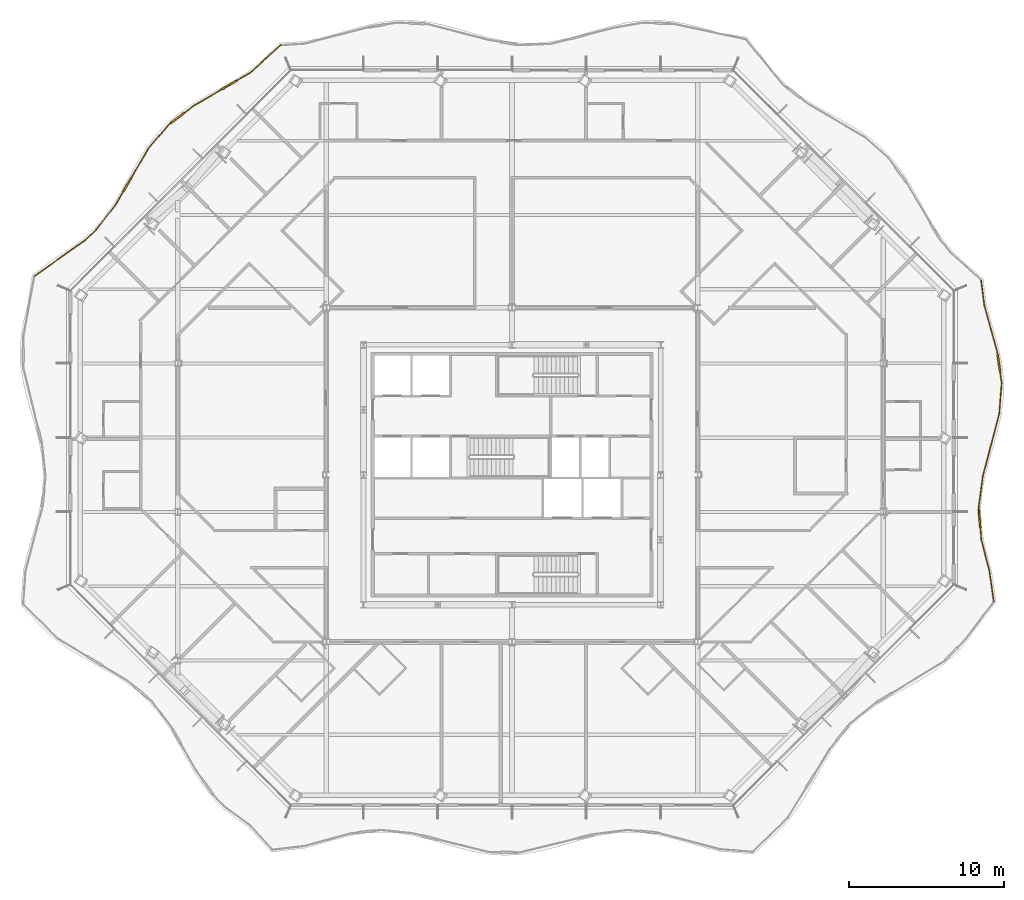
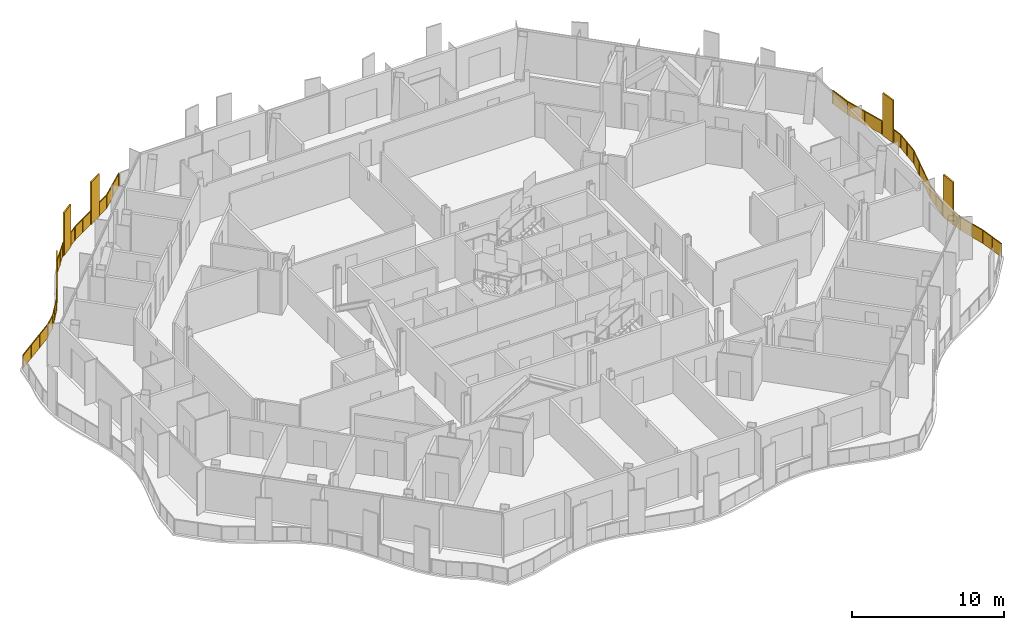
# One storey, part 20 of 21: 2 railings.
"""IFC4 building model written with IfcOpenShell, lengths in metres."""

from ifc_helpers import new_model, si_unit, direction, frame, origin, origin_2d, place, context, subcontext, project, spatial, polyline, rectangle, outline, extrude, material, type_object, element, save


model = new_model("IFC4")

# Units and contexts
model_context = context("Model", 3, precision=1e-05, world=origin(), true_north=direction((0.0, 1.0)))
body_context = subcontext(model_context, "Body", "Model", "MODEL_VIEW")
ifc_project = project(units=[si_unit("LENGTHUNIT", "METRE"), si_unit("AREAUNIT", "SQUARE_METRE"), si_unit("VOLUMEUNIT", "CUBIC_METRE"), si_unit("PLANEANGLEUNIT", "RADIAN"), si_unit("MASSUNIT", "GRAM", prefix="KILO")], contexts=[model_context])

# Site, building, storey
site_placement = place(None, origin())
site = spatial("IfcSite", under=ifc_project, at=site_placement, CompositionType="ELEMENT")
building_placement = place(site_placement, origin())
building = spatial("IfcBuilding", under=site, at=building_placement, Name="Cairn Pilgrim Tower", CompositionType="ELEMENT")
storey_placement = place(building_placement, frame((0.0, 0.0, 172.199951171875)))
storey = spatial("IfcBuildingStorey", under=building, at=storey_placement, Name="L43", CompositionType="ELEMENT", Elevation=172.199951171875)

# Railings
ifc_material = material(Name="Bronze anodised aluminium rail, posts and fin screens with laminated glass infill", Category="aluminium")
railing_type = type_object("IfcRailingType", Name="BALCONY GUARD WITH FIN SCREENS", PredefinedType="GUARDRAIL", material=ifc_material)
railing_1_placement = place(storey_placement, frame((38.334228515625, -5.791748046875, 0.0)))
element("IfcRailing", 1, at=railing_1_placement, inside=storey, type_object=railing_type, Name="Balcony guard BGF-3 with fin screens", PredefinedType="GUARDRAIL", context=body_context, shape_type="SweptSolid", body=[
    extrude(rectangle(XDim=0.050048828125, YDim=0.050048828125, at=origin_2d()), frame((0.0, 0.0, 1.0751953125), z_axis=(-0.142090127494, 0.98985372438, 0.0), x_axis=(-0.98985372438, -0.142090127494, 0.0)), (0.0, 0.0, 1.0), 1.9931640625),
    extrude(rectangle(XDim=0.050048828125, YDim=0.050048828125, at=origin_2d()), frame((-0.283203125, 1.972900390625, 1.0751953125), z_axis=(-0.248274202048, 0.968689795857, 0.0), x_axis=(-0.968689795857, -0.248274202048, 0.0)), (0.0, 0.0, 1.0), 2.090576171875),
    extrude(rectangle(XDim=1.10009765625, YDim=0.110107421875, at=origin_2d()), frame((-0.921142578125, 5.350341796875, 0.0), z_axis=(0.0, 0.0, 1.0), x_axis=(-0.087561390479, 0.996159125289, 0.0)), (0.0, 0.0, 1.0), 3.39990234375),
    extrude(rectangle(XDim=0.050048828125, YDim=0.050048828125, at=origin_2d()), frame((-0.80224609375, 3.998046875, 1.0751953125), z_axis=(-0.087561390479, 0.996159125289, 0.0), x_axis=(-0.996159125289, -0.087561390479, 0.0)), (0.0, 0.0, 1.0), 0.8076171875),
    extrude(rectangle(XDim=0.050048828125, YDim=0.050048828125, at=origin_2d()), frame((-0.96923828125, 5.898193359375, 1.0751953125), z_axis=(-0.087561390479, 0.996159125289, 0.0), x_axis=(-0.996159125289, -0.087561390479, 0.0)), (0.0, 0.0, 1.0), 0.150146484375),
    extrude(rectangle(XDim=0.050048828125, YDim=0.050048828125, at=origin_2d()), frame((-0.982421875, 6.0478515625, 1.0751953125), z_axis=(0.131846148613, 0.991270191772, 0.0), x_axis=(-0.991270191772, 0.131846148613, 0.0)), (0.0, 0.0, 1.0), 2.064697265625),
    extrude(rectangle(XDim=0.050048828125, YDim=0.050048828125, at=origin_2d()), frame((-0.710205078125, 8.094482421875, 1.0751953125), z_axis=(0.254553732128, 0.967058631862, 0.0), x_axis=(-0.967058631862, 0.254553732128, 0.0)), (0.0, 0.0, 1.0), 4.17578125),
    extrude(rectangle(XDim=0.050048828125, YDim=0.050048828125, at=origin_2d()), frame((0.352783203125, 12.1328125, 1.0751953125), z_axis=(0.078593798802, 0.996906723214, 0.0), x_axis=(-0.996906723214, 0.078593798802, 0.0)), (0.0, 0.0, 1.0), 1.997314453125),
    extrude(rectangle(XDim=1.10009765625, YDim=0.110107421875, at=origin_2d()), frame((0.32568359375, 15.426025390625, 0.0), z_axis=(0.0, 0.0, 1.0), x_axis=(-0.139962202714, 0.990156847076, 0.0)), (0.0, 0.0, 1.0), 3.39990234375),
    extrude(rectangle(XDim=0.050048828125, YDim=0.050048828125, at=origin_2d()), frame((0.509765625, 14.1240234375, 1.0751953125), z_axis=(-0.139962202714, 0.990156847076, 0.0), x_axis=(-0.990156847076, -0.139962202714, 0.0)), (0.0, 0.0, 1.0), 0.764892578125),
    extrude(rectangle(XDim=0.050048828125, YDim=0.050048828125, at=origin_2d()), frame((0.248779296875, 15.970458984375, 1.0751953125), z_axis=(-0.139962202714, 0.990156847076, 0.0), x_axis=(-0.990156847076, -0.139962202714, 0.0)), (0.0, 0.0, 1.0), 0.14990234375),
    extrude(rectangle(XDim=0.050048828125, YDim=0.050048828125, at=origin_2d()), frame((0.227783203125, 16.118896484375, 1.0751953125), z_axis=(-0.266831409856, 0.963743222396, 0.0), x_axis=(-0.963743222396, -0.266831409856, 0.0)), (0.0, 0.0, 1.0), 3.146484375),
    extrude(rectangle(XDim=0.050048828125, YDim=0.050048828125, at=origin_2d()), frame((-0.61181640625, 19.1513671875, 1.0751953125), z_axis=(-0.128981119614, 0.991647049501, 0.0), x_axis=(-0.991647049501, -0.128981119614, 0.0)), (0.0, 0.0, 1.0), 1.603271484375),
    extrude(rectangle(XDim=0.050048828125, YDim=0.050048828125, at=origin_2d()), origin(), (0.0, 0.0, 1.0), 1.050048828125),
    extrude(rectangle(XDim=0.050048828125, YDim=0.050048828125, at=origin_2d()), frame((-0.1416015625, 0.986328125, 0.0)), (0.0, 0.0, 1.0), 1.050048828125),
    extrude(rectangle(XDim=0.050048828125, YDim=0.050048828125, at=origin_2d()), frame((-0.283203125, 1.972900390625, 0.0)), (0.0, 0.0, 1.0), 1.050048828125),
    extrude(rectangle(XDim=0.050048828125, YDim=0.050048828125, at=origin_2d()), frame((-0.542724609375, 2.9853515625, 0.0)), (0.0, 0.0, 1.0), 1.050048828125),
    extrude(rectangle(XDim=0.050048828125, YDim=0.050048828125, at=origin_2d()), frame((-0.80224609375, 3.998046875, 0.0)), (0.0, 0.0, 1.0), 1.050048828125),
    extrude(rectangle(XDim=0.050048828125, YDim=0.050048828125, at=origin_2d()), frame((-0.870849609375, 4.777587890625, 0.0)), (0.0, 0.0, 1.0), 1.050048828125),
    extrude(rectangle(XDim=0.050048828125, YDim=0.050048828125, at=origin_2d()), frame((-0.971435546875, 5.92333984375, 0.0)), (0.0, 0.0, 1.0), 1.050048828125),
    extrude(rectangle(XDim=0.050048828125, YDim=0.050048828125, at=origin_2d()), frame((-0.982421875, 6.0478515625, 0.0)), (0.0, 0.0, 1.0), 1.050048828125),
    extrude(rectangle(XDim=0.050048828125, YDim=0.050048828125, at=origin_2d()), frame((-0.84619140625, 7.0712890625, 0.0)), (0.0, 0.0, 1.0), 1.050048828125),
    extrude(rectangle(XDim=0.050048828125, YDim=0.050048828125, at=origin_2d()), frame((-0.710205078125, 8.094482421875, 0.0)), (0.0, 0.0, 1.0), 1.050048828125),
    extrude(rectangle(XDim=0.050048828125, YDim=0.050048828125, at=origin_2d()), frame((-0.35595703125, 9.440673828125, 0.0)), (0.0, 0.0, 1.0), 1.050048828125),
    extrude(rectangle(XDim=0.050048828125, YDim=0.050048828125, at=origin_2d()), frame((-0.00146484375, 10.78662109375, 0.0)), (0.0, 0.0, 1.0), 1.050048828125),
    extrude(rectangle(XDim=0.050048828125, YDim=0.050048828125, at=origin_2d()), frame((0.352783203125, 12.1328125, 0.0)), (0.0, 0.0, 1.0), 1.050048828125),
    extrude(rectangle(XDim=0.050048828125, YDim=0.050048828125, at=origin_2d()), frame((0.43115234375, 13.12841796875, 0.0)), (0.0, 0.0, 1.0), 1.050048828125),
    extrude(rectangle(XDim=0.050048828125, YDim=0.050048828125, at=origin_2d()), frame((0.509765625, 14.1240234375, 0.0)), (0.0, 0.0, 1.0), 1.050048828125),
    extrude(rectangle(XDim=0.050048828125, YDim=0.050048828125, at=origin_2d()), frame((0.40625, 14.8564453125, 0.0)), (0.0, 0.0, 1.0), 1.050048828125),
    extrude(rectangle(XDim=0.050048828125, YDim=0.050048828125, at=origin_2d()), frame((0.245361328125, 15.995361328125, 0.0)), (0.0, 0.0, 1.0), 1.050048828125),
    extrude(rectangle(XDim=0.050048828125, YDim=0.050048828125, at=origin_2d()), frame((0.227783203125, 16.118896484375, 0.0)), (0.0, 0.0, 1.0), 1.050048828125),
    extrude(rectangle(XDim=0.050048828125, YDim=0.050048828125, at=origin_2d()), frame((-0.19189453125, 17.63525390625, 0.0)), (0.0, 0.0, 1.0), 1.050048828125),
    extrude(rectangle(XDim=0.050048828125, YDim=0.050048828125, at=origin_2d()), frame((-0.61181640625, 19.1513671875, 0.0)), (0.0, 0.0, 1.0), 1.050048828125),
    extrude(rectangle(XDim=0.050048828125, YDim=0.050048828125, at=origin_2d()), frame((-0.818603515625, 20.7412109375, 0.0)), (0.0, 0.0, 1.0), 1.050048828125),
    extrude(outline(polyline([(0.02490234375, 0.0), (0.971435546875, 0.0), (0.971435546875, 1.050048828125), (0.02490234375, 1.050048828125), (0.02490234375, 0.0)])), frame((-0.005859375, -0.000732421875, 0.0), z_axis=(0.98985372438, 0.142090127494, 0.0), x_axis=(-0.142090127494, 0.98985372438, 0.0)), (0.0, 0.0, 1.0), 0.011962890625),
    extrude(outline(polyline([(0.02490234375, 0.0), (0.971435546875, 0.0), (0.971435546875, 1.050048828125), (0.02490234375, 1.050048828125), (0.02490234375, 0.0)])), frame((-0.1474609375, 0.985595703125, 0.0), z_axis=(0.98985372438, 0.142090127494, 0.0), x_axis=(-0.142090127494, 0.98985372438, 0.0)), (0.0, 0.0, 1.0), 0.011962890625),
    extrude(outline(polyline([(0.02490234375, 0.0), (1.020263671875, 0.0), (1.020263671875, 1.050048828125), (0.02490234375, 1.050048828125), (0.02490234375, 0.0)])), frame((-0.2890625, 1.971435546875, 0.0), z_axis=(0.968689795857, 0.248274202048, 0.0), x_axis=(-0.248274202048, 0.968689795857, 0.0)), (0.0, 0.0, 1.0), 0.011962890625),
    extrude(outline(polyline([(0.02490234375, 0.0), (1.020263671875, 0.0), (1.020263671875, 1.050048828125), (0.02490234375, 1.050048828125), (0.02490234375, 0.0)])), frame((-0.548583984375, 2.98388671875, 0.0), z_axis=(0.968689795857, 0.248274202048, 0.0), x_axis=(-0.248274202048, 0.968689795857, 0.0)), (0.0, 0.0, 1.0), 0.011962890625),
    extrude(outline(polyline([(0.02490234375, 0.0), (0.757568359375, 0.0), (0.757568359375, 1.050048828125), (0.02490234375, 1.050048828125), (0.02490234375, 0.0)])), frame((-0.80810546875, 3.99755859375, 0.0), z_axis=(0.996159125289, 0.087561390479, 0.0), x_axis=(-0.087561390479, 0.996159125289, 0.0)), (0.0, 0.0, 1.0), 0.011962890625),
    extrude(outline(polyline([(0.02490234375, 0.0), (0.10009765625, 0.0), (0.10009765625, 1.050048828125), (0.02490234375, 1.050048828125), (0.02490234375, 0.0)])), frame((-0.9775390625, 5.922607421875, 0.0), z_axis=(0.996159125289, 0.087561390479, 0.0), x_axis=(-0.087561390479, 0.996159125289, 0.0)), (0.0, 0.0, 1.0), 0.011962890625),
    extrude(outline(polyline([(0.02490234375, 0.0), (1.00732421875, 0.0), (1.00732421875, 1.050048828125), (0.02490234375, 1.050048828125), (0.02490234375, 0.0)])), frame((-0.98828125, 6.048583984375, 0.0), z_axis=(0.991270191772, -0.131846148613, 0.0), x_axis=(0.131846148613, 0.991270191772, 0.0)), (0.0, 0.0, 1.0), 0.011962890625),
    extrude(outline(polyline([(0.02490234375, 0.0), (1.00732421875, 0.0), (1.00732421875, 1.050048828125), (0.02490234375, 1.050048828125), (0.02490234375, 0.0)])), frame((-0.852294921875, 7.072021484375, 0.0), z_axis=(0.991270191772, -0.131846148613, 0.0), x_axis=(0.131846148613, 0.991270191772, 0.0)), (0.0, 0.0, 1.0), 0.011962890625),
    extrude(outline(polyline([(0.02490234375, 0.0), (1.366943359375, 0.0), (1.366943359375, 1.050048828125), (0.02490234375, 1.050048828125), (0.02490234375, 0.0)])), frame((-0.716064453125, 8.095947265625, 0.0), z_axis=(0.967058631862, -0.254553732128, 0.0), x_axis=(0.254553732128, 0.967058631862, 0.0)), (0.0, 0.0, 1.0), 0.011962890625),
    extrude(outline(polyline([(0.02490234375, 0.0), (1.366943359375, 0.0), (1.366943359375, 1.050048828125), (0.02490234375, 1.050048828125), (0.02490234375, 0.0)])), frame((-0.361572265625, 9.442138671875, 0.0), z_axis=(0.967058631862, -0.254553732128, 0.0), x_axis=(0.254553732128, 0.967058631862, 0.0)), (0.0, 0.0, 1.0), 0.011962890625),
    extrude(outline(polyline([(0.02490234375, 0.0), (1.366943359375, 0.0), (1.366943359375, 1.050048828125), (0.02490234375, 1.050048828125), (0.02490234375, 0.0)])), frame((-0.00732421875, 10.788330078125, 0.0), z_axis=(0.967058631862, -0.254553732128, 0.0), x_axis=(0.254553732128, 0.967058631862, 0.0)), (0.0, 0.0, 1.0), 0.011962890625),
    extrude(outline(polyline([(0.02490234375, 0.0), (0.9736328125, 0.0), (0.9736328125, 1.050048828125), (0.02490234375, 1.050048828125), (0.02490234375, 0.0)])), frame((0.346923828125, 12.13330078125, 0.0), z_axis=(0.996906723214, -0.078593798802, 0.0), x_axis=(0.078593798802, 0.996906723214, 0.0)), (0.0, 0.0, 1.0), 0.011962890625),
    extrude(outline(polyline([(0.02490234375, 0.0), (0.9736328125, 0.0), (0.9736328125, 1.050048828125), (0.02490234375, 1.050048828125), (0.02490234375, 0.0)])), frame((0.42529296875, 13.12890625, 0.0), z_axis=(0.996906723214, -0.078593798802, 0.0), x_axis=(0.078593798802, 0.996906723214, 0.0)), (0.0, 0.0, 1.0), 0.011962890625),
    extrude(outline(polyline([(0.02490234375, 0.0), (0.71484375, 0.0), (0.71484375, 1.050048828125), (0.02490234375, 1.050048828125), (0.02490234375, 0.0)])), frame((0.50390625, 14.123291015625, 0.0), z_axis=(0.990156847076, 0.139962202714, 0.0), x_axis=(-0.139962202714, 0.990156847076, 0.0)), (0.0, 0.0, 1.0), 0.011962890625),
    extrude(outline(polyline([(0.02490234375, 0.0), (0.099853515625, 0.0), (0.099853515625, 1.050048828125), (0.02490234375, 1.050048828125), (0.02490234375, 0.0)])), frame((0.2392578125, 15.994384765625, 0.0), z_axis=(0.990156847076, 0.139962202714, 0.0), x_axis=(-0.139962202714, 0.990156847076, 0.0)), (0.0, 0.0, 1.0), 0.011962890625),
    extrude(outline(polyline([(0.02490234375, 0.0), (1.54833984375, 0.0), (1.54833984375, 1.050048828125), (0.02490234375, 1.050048828125), (0.02490234375, 0.0)])), frame((0.221923828125, 16.1171875, 0.0), z_axis=(0.963743222396, 0.266831409856, 0.0), x_axis=(-0.266831409856, 0.963743222396, 0.0)), (0.0, 0.0, 1.0), 0.011962890625),
    extrude(outline(polyline([(0.02490234375, 0.0), (1.54833984375, 0.0), (1.54833984375, 1.050048828125), (0.02490234375, 1.050048828125), (0.02490234375, 0.0)])), frame((-0.19775390625, 17.633544921875, 0.0), z_axis=(0.963743222396, 0.266831409856, 0.0), x_axis=(-0.266831409856, 0.963743222396, 0.0)), (0.0, 0.0, 1.0), 0.011962890625),
    extrude(outline(polyline([(0.02490234375, 0.0), (1.578125, 0.0), (1.578125, 1.050048828125), (0.02490234375, 1.050048828125), (0.02490234375, 0.0)])), frame((-0.61767578125, 19.150634765625, 0.0), z_axis=(0.991647049501, 0.128981119614, 0.0), x_axis=(-0.128981119614, 0.991647049501, 0.0)), (0.0, 0.0, 1.0), 0.011962890625),
])
railing_2_placement = place(storey_placement, frame((-7.764404296875, 30.16650390625, 0.0)))
element("IfcRailing", 2, at=railing_2_placement, inside=storey, type_object=railing_type, Name="Balcony guard BGF-6 with fin screens", PredefinedType="GUARDRAIL", context=body_context, shape_type="SweptSolid", body=[
    extrude(rectangle(XDim=0.050048828125, YDim=0.050048828125, at=origin_2d()), frame((0.0, 0.0, 1.0751953125), z_axis=(-0.739389429357, -0.673278004806, 0.0), x_axis=(0.673278004806, -0.739389429357, 0.0)), (0.0, 0.0, 1.0), 2.62939453125),
    extrude(rectangle(XDim=1.10009765625, YDim=0.110107421875, at=origin_2d()), frame((-3.29833984375, -2.56396484375, 0.0), z_axis=(0.0, 0.0, 1.0), x_axis=(-0.862735424499, -0.505655601487, 0.0)), (0.0, 0.0, 1.0), 3.39990234375),
    extrude(rectangle(XDim=0.050048828125, YDim=0.050048828125, at=origin_2d()), frame((-1.944091796875, -1.770263671875, 1.0751953125), z_axis=(-0.862735424499, -0.505655601487, 0.0), x_axis=(0.505655601487, -0.862735424499, 0.0)), (0.0, 0.0, 1.0), 1.019775390625),
    extrude(rectangle(XDim=0.050048828125, YDim=0.050048828125, at=origin_2d()), frame((-3.77294921875, -2.842041015625, 1.0751953125), z_axis=(-0.862735424499, -0.505655601487, 0.0), x_axis=(0.505655601487, -0.862735424499, 0.0)), (0.0, 0.0, 1.0), 2.0966796875),
    extrude(rectangle(XDim=1.10009765625, YDim=0.110107421875, at=origin_2d()), frame((-6.64892578125, -4.700439453125, 0.0), z_axis=(0.0, 0.0, 1.0), x_axis=(-0.800820851081, -0.598903969325, 0.0)), (0.0, 0.0, 1.0), 3.39990234375),
    extrude(rectangle(XDim=0.050048828125, YDim=0.050048828125, at=origin_2d()), frame((-5.581787109375, -3.90234375, 1.0751953125), z_axis=(-0.800820851081, -0.598903969325, 0.0), x_axis=(0.598903969325, -0.800820851081, 0.0)), (0.0, 0.0, 1.0), 0.78271484375),
    extrude(rectangle(XDim=0.050048828125, YDim=0.050048828125, at=origin_2d()), frame((-7.08935546875, -5.02978515625, 1.0751953125), z_axis=(-0.800820851081, -0.598903969325, 0.0), x_axis=(0.598903969325, -0.800820851081, 0.0)), (0.0, 0.0, 1.0), 0.14990234375),
    extrude(rectangle(XDim=0.050048828125, YDim=0.050048828125, at=origin_2d()), frame((-7.20947265625, -5.11962890625, 1.0751953125), z_axis=(-0.650601533978, -0.759419280757, 0.0), x_axis=(0.759419280757, -0.650601533978, 0.0)), (0.0, 0.0, 1.0), 2.012451171875),
    extrude(rectangle(XDim=1.10009765625, YDim=0.110107421875, at=origin_2d()), frame((-9.890380859375, -8.99755859375, 0.0), z_axis=(0.0, 0.0, 1.0), x_axis=(-0.504141594648, -0.863621012103, 0.0)), (0.0, 0.0, 1.0), 3.39990234375),
    extrude(rectangle(XDim=0.050048828125, YDim=0.050048828125, at=origin_2d()), frame((-8.518798828125, -6.64794921875, 1.0751953125), z_axis=(-0.504141594648, -0.863621012103, 0.0), x_axis=(0.863621012103, -0.504141594648, 0.0)), (0.0, 0.0, 1.0), 2.170654296875),
    extrude(rectangle(XDim=0.050048828125, YDim=0.050048828125, at=origin_2d()), frame((-10.167724609375, -9.47265625, 1.0751953125), z_axis=(-0.504141594648, -0.863621012103, 0.0), x_axis=(0.863621012103, -0.504141594648, 0.0)), (0.0, 0.0, 1.0), 0.9365234375),
    extrude(rectangle(XDim=0.050048828125, YDim=0.050048828125, at=origin_2d()), frame((-10.639892578125, -10.281494140625, 1.0751953125), z_axis=(-0.610188107083, -0.7922565708, 0.0), x_axis=(0.7922565708, -0.610188107083, 0.0)), (0.0, 0.0, 1.0), 2.07568359375),
    extrude(rectangle(XDim=0.050048828125, YDim=0.050048828125, at=origin_2d()), frame((-11.906494140625, -11.926025390625, 1.0751953125), z_axis=(-0.733327659899, -0.679875388014, 0.0), x_axis=(0.679875388014, -0.733327659899, 0.0)), (0.0, 0.0, 1.0), 1.041259765625),
    extrude(rectangle(XDim=0.050048828125, YDim=0.050048828125, at=origin_2d()), frame((-12.670166015625, -12.634033203125, 1.0751953125), z_axis=(-0.816020808678, -0.578022525344, 0.0), x_axis=(0.578022525344, -0.816020808678, 0.0)), (0.0, 0.0, 1.0), 3.919677734375),
    extrude(rectangle(XDim=0.050048828125, YDim=0.050048828125, at=origin_2d()), origin(), (0.0, 0.0, 1.0), 1.050048828125),
    extrude(rectangle(XDim=0.050048828125, YDim=0.050048828125, at=origin_2d()), frame((-0.97216796875, -0.88525390625, 0.0)), (0.0, 0.0, 1.0), 1.050048828125),
    extrude(rectangle(XDim=0.050048828125, YDim=0.050048828125, at=origin_2d()), frame((-1.944091796875, -1.770263671875, 0.0)), (0.0, 0.0, 1.0), 1.050048828125),
    extrude(rectangle(XDim=0.050048828125, YDim=0.050048828125, at=origin_2d()), frame((-2.80224609375, -2.273193359375, 0.0)), (0.0, 0.0, 1.0), 1.050048828125),
    extrude(rectangle(XDim=0.050048828125, YDim=0.050048828125, at=origin_2d()), frame((-3.79443359375, -2.854736328125, 0.0)), (0.0, 0.0, 1.0), 1.050048828125),
    extrude(rectangle(XDim=0.050048828125, YDim=0.050048828125, at=origin_2d()), frame((-4.688232421875, -3.378662109375, 0.0)), (0.0, 0.0, 1.0), 1.050048828125),
    extrude(rectangle(XDim=0.050048828125, YDim=0.050048828125, at=origin_2d()), frame((-5.581787109375, -3.90234375, 0.0)), (0.0, 0.0, 1.0), 1.050048828125),
    extrude(rectangle(XDim=0.050048828125, YDim=0.050048828125, at=origin_2d()), frame((-6.1884765625, -4.35595703125, 0.0)), (0.0, 0.0, 1.0), 1.050048828125),
    extrude(rectangle(XDim=0.050048828125, YDim=0.050048828125, at=origin_2d()), frame((-7.109375, -5.044921875, 0.0)), (0.0, 0.0, 1.0), 1.050048828125),
    extrude(rectangle(XDim=0.050048828125, YDim=0.050048828125, at=origin_2d()), frame((-7.20947265625, -5.11962890625, 0.0)), (0.0, 0.0, 1.0), 1.050048828125),
    extrude(rectangle(XDim=0.050048828125, YDim=0.050048828125, at=origin_2d()), frame((-7.8642578125, -5.8837890625, 0.0)), (0.0, 0.0, 1.0), 1.050048828125),
    extrude(rectangle(XDim=0.050048828125, YDim=0.050048828125, at=origin_2d()), frame((-8.518798828125, -6.64794921875, 0.0)), (0.0, 0.0, 1.0), 1.050048828125),
    extrude(rectangle(XDim=0.050048828125, YDim=0.050048828125, at=origin_2d()), frame((-9.0595703125, -7.574462890625, 0.0)), (0.0, 0.0, 1.0), 1.050048828125),
    extrude(rectangle(XDim=0.050048828125, YDim=0.050048828125, at=origin_2d()), frame((-9.6005859375, -8.5009765625, 0.0)), (0.0, 0.0, 1.0), 1.050048828125),
    extrude(rectangle(XDim=0.050048828125, YDim=0.050048828125, at=origin_2d()), frame((-10.180419921875, -9.494140625, 0.0)), (0.0, 0.0, 1.0), 1.050048828125),
    extrude(rectangle(XDim=0.050048828125, YDim=0.050048828125, at=origin_2d()), frame((-10.639892578125, -10.281494140625, 0.0)), (0.0, 0.0, 1.0), 1.050048828125),
    extrude(rectangle(XDim=0.050048828125, YDim=0.050048828125, at=origin_2d()), frame((-11.273193359375, -11.103759765625, 0.0)), (0.0, 0.0, 1.0), 1.050048828125),
    extrude(rectangle(XDim=0.050048828125, YDim=0.050048828125, at=origin_2d()), frame((-11.906494140625, -11.926025390625, 0.0)), (0.0, 0.0, 1.0), 1.050048828125),
    extrude(rectangle(XDim=0.050048828125, YDim=0.050048828125, at=origin_2d()), frame((-12.670166015625, -12.634033203125, 0.0)), (0.0, 0.0, 1.0), 1.050048828125),
    extrude(rectangle(XDim=0.050048828125, YDim=0.050048828125, at=origin_2d()), frame((-13.736328125, -13.38916015625, 0.0)), (0.0, 0.0, 1.0), 1.050048828125),
    extrude(rectangle(XDim=0.050048828125, YDim=0.050048828125, at=origin_2d()), frame((-14.802490234375, -14.14453125, 0.0)), (0.0, 0.0, 1.0), 1.050048828125),
    extrude(rectangle(XDim=0.050048828125, YDim=0.050048828125, at=origin_2d()), frame((-15.86865234375, -14.899658203125, 0.0)), (0.0, 0.0, 1.0), 1.050048828125),
    extrude(outline(polyline([(0.02490234375, 0.0), (1.28955078125, 0.0), (1.28955078125, 1.050048828125), (0.02490234375, 1.050048828125), (0.02490234375, 0.0)])), frame((0.00390625, -0.00439453125, 0.0), z_axis=(-0.673278004806, 0.739389429357, 0.0), x_axis=(-0.739389429357, -0.673278004806, 0.0)), (0.0, 0.0, 1.0), 0.011962890625),
    extrude(outline(polyline([(0.02490234375, 0.0), (1.28955078125, 0.0), (1.28955078125, 1.050048828125), (0.02490234375, 1.050048828125), (0.02490234375, 0.0)])), frame((-0.968017578125, -0.8896484375, 0.0), z_axis=(-0.673278004806, 0.739389429357, 0.0), x_axis=(-0.739389429357, -0.673278004806, 0.0)), (0.0, 0.0, 1.0), 0.011962890625),
    extrude(outline(polyline([(0.02490234375, 0.0), (0.9697265625, 0.0), (0.9697265625, 1.050048828125), (0.02490234375, 1.050048828125), (0.02490234375, 0.0)])), frame((-1.941162109375, -1.775390625, 0.0), z_axis=(-0.505655601487, 0.862735424499, 0.0), x_axis=(-0.862735424499, -0.505655601487, 0.0)), (0.0, 0.0, 1.0), 0.011962890625),
    extrude(outline(polyline([(0.02490234375, 0.0), (1.0107421875, 0.0), (1.0107421875, 1.050048828125), (0.02490234375, 1.050048828125), (0.02490234375, 0.0)])), frame((-3.79150390625, -2.85986328125, 0.0), z_axis=(-0.505655601487, 0.862735424499, 0.0), x_axis=(-0.862735424499, -0.505655601487, 0.0)), (0.0, 0.0, 1.0), 0.011962890625),
    extrude(outline(polyline([(0.02490234375, 0.0), (1.0107421875, 0.0), (1.0107421875, 1.050048828125), (0.02490234375, 1.050048828125), (0.02490234375, 0.0)])), frame((-4.68505859375, -3.3837890625, 0.0), z_axis=(-0.505655601487, 0.862735424499, 0.0), x_axis=(-0.862735424499, -0.505655601487, 0.0)), (0.0, 0.0, 1.0), 0.011962890625),
    extrude(outline(polyline([(0.02490234375, 0.0), (0.732666015625, 0.0), (0.732666015625, 1.050048828125), (0.02490234375, 1.050048828125), (0.02490234375, 0.0)])), frame((-5.578125, -3.9072265625, 0.0), z_axis=(-0.598903969325, 0.800820851081, 0.0), x_axis=(-0.800820851081, -0.598903969325, 0.0)), (0.0, 0.0, 1.0), 0.011962890625),
    extrude(outline(polyline([(0.02490234375, 0.0), (0.099853515625, 0.0), (0.099853515625, 1.050048828125), (0.02490234375, 1.050048828125), (0.02490234375, 0.0)])), frame((-7.10595703125, -5.049560546875, 0.0), z_axis=(-0.598903969325, 0.800820851081, 0.0), x_axis=(-0.800820851081, -0.598903969325, 0.0)), (0.0, 0.0, 1.0), 0.011962890625),
    extrude(outline(polyline([(0.02490234375, 0.0), (0.981201171875, 0.0), (0.981201171875, 1.050048828125), (0.02490234375, 1.050048828125), (0.02490234375, 0.0)])), frame((-7.204833984375, -5.12353515625, 0.0), z_axis=(-0.759419280757, 0.650601533978, 0.0), x_axis=(-0.650601533978, -0.759419280757, 0.0)), (0.0, 0.0, 1.0), 0.011962890625),
    extrude(outline(polyline([(0.02490234375, 0.0), (0.981201171875, 0.0), (0.981201171875, 1.050048828125), (0.02490234375, 1.050048828125), (0.02490234375, 0.0)])), frame((-7.859619140625, -5.8876953125, 0.0), z_axis=(-0.759419280757, 0.650601533978, 0.0), x_axis=(-0.650601533978, -0.759419280757, 0.0)), (0.0, 0.0, 1.0), 0.011962890625),
    extrude(outline(polyline([(0.02490234375, 0.0), (1.0478515625, 0.0), (1.0478515625, 1.050048828125), (0.02490234375, 1.050048828125), (0.02490234375, 0.0)])), frame((-8.513671875, -6.65087890625, 0.0), z_axis=(-0.863621012103, 0.504141594648, 0.0), x_axis=(-0.504141594648, -0.863621012103, 0.0)), (0.0, 0.0, 1.0), 0.011962890625),
    extrude(outline(polyline([(0.02490234375, 0.0), (1.0478515625, 0.0), (1.0478515625, 1.050048828125), (0.02490234375, 1.050048828125), (0.02490234375, 0.0)])), frame((-9.054443359375, -7.577392578125, 0.0), z_axis=(-0.863621012103, 0.504141594648, 0.0), x_axis=(-0.504141594648, -0.863621012103, 0.0)), (0.0, 0.0, 1.0), 0.011962890625),
    extrude(outline(polyline([(0.02490234375, 0.0), (0.886474609375, 0.0), (0.886474609375, 1.050048828125), (0.02490234375, 1.050048828125), (0.02490234375, 0.0)])), frame((-10.175048828125, -9.497314453125, 0.0), z_axis=(-0.863621012103, 0.504141594648, 0.0), x_axis=(-0.504141594648, -0.863621012103, 0.0)), (0.0, 0.0, 1.0), 0.011962890625),
    extrude(outline(polyline([(0.02490234375, 0.0), (1.012939453125, 0.0), (1.012939453125, 1.050048828125), (0.02490234375, 1.050048828125), (0.02490234375, 0.0)])), frame((-10.63525390625, -10.28515625, 0.0), z_axis=(-0.7922565708, 0.610188107083, 0.0), x_axis=(-0.610188107083, -0.7922565708, 0.0)), (0.0, 0.0, 1.0), 0.011962890625),
    extrude(outline(polyline([(0.02490234375, 0.0), (1.012939453125, 0.0), (1.012939453125, 1.050048828125), (0.02490234375, 1.050048828125), (0.02490234375, 0.0)])), frame((-11.2685546875, -11.107421875, 0.0), z_axis=(-0.7922565708, 0.610188107083, 0.0), x_axis=(-0.610188107083, -0.7922565708, 0.0)), (0.0, 0.0, 1.0), 0.011962890625),
    extrude(outline(polyline([(0.02490234375, 0.0), (1.016357421875, 0.0), (1.016357421875, 1.050048828125), (0.02490234375, 1.050048828125), (0.02490234375, 0.0)])), frame((-11.90234375, -11.930419921875, 0.0), z_axis=(-0.679875388014, 0.733327659899, 0.0), x_axis=(-0.733327659899, -0.679875388014, 0.0)), (0.0, 0.0, 1.0), 0.011962890625),
    extrude(outline(polyline([(0.02490234375, 0.0), (1.281494140625, 0.0), (1.281494140625, 1.050048828125), (0.02490234375, 1.050048828125), (0.02490234375, 0.0)])), frame((-12.666748046875, -12.638916015625, 0.0), z_axis=(-0.578022525344, 0.816020808678, 0.0), x_axis=(-0.816020808678, -0.578022525344, 0.0)), (0.0, 0.0, 1.0), 0.011962890625),
    extrude(outline(polyline([(0.02490234375, 0.0), (1.281494140625, 0.0), (1.281494140625, 1.050048828125), (0.02490234375, 1.050048828125), (0.02490234375, 0.0)])), frame((-13.73291015625, -13.39404296875, 0.0), z_axis=(-0.578022525344, 0.816020808678, 0.0), x_axis=(-0.816020808678, -0.578022525344, 0.0)), (0.0, 0.0, 1.0), 0.011962890625),
    extrude(outline(polyline([(0.02490234375, 0.0), (1.281494140625, 0.0), (1.281494140625, 1.050048828125), (0.02490234375, 1.050048828125), (0.02490234375, 0.0)])), frame((-14.799072265625, -14.1494140625, 0.0), z_axis=(-0.578022525344, 0.816020808678, 0.0), x_axis=(-0.816020808678, -0.578022525344, 0.0)), (0.0, 0.0, 1.0), 0.011962890625),
])

save(model, "model.ifc")
